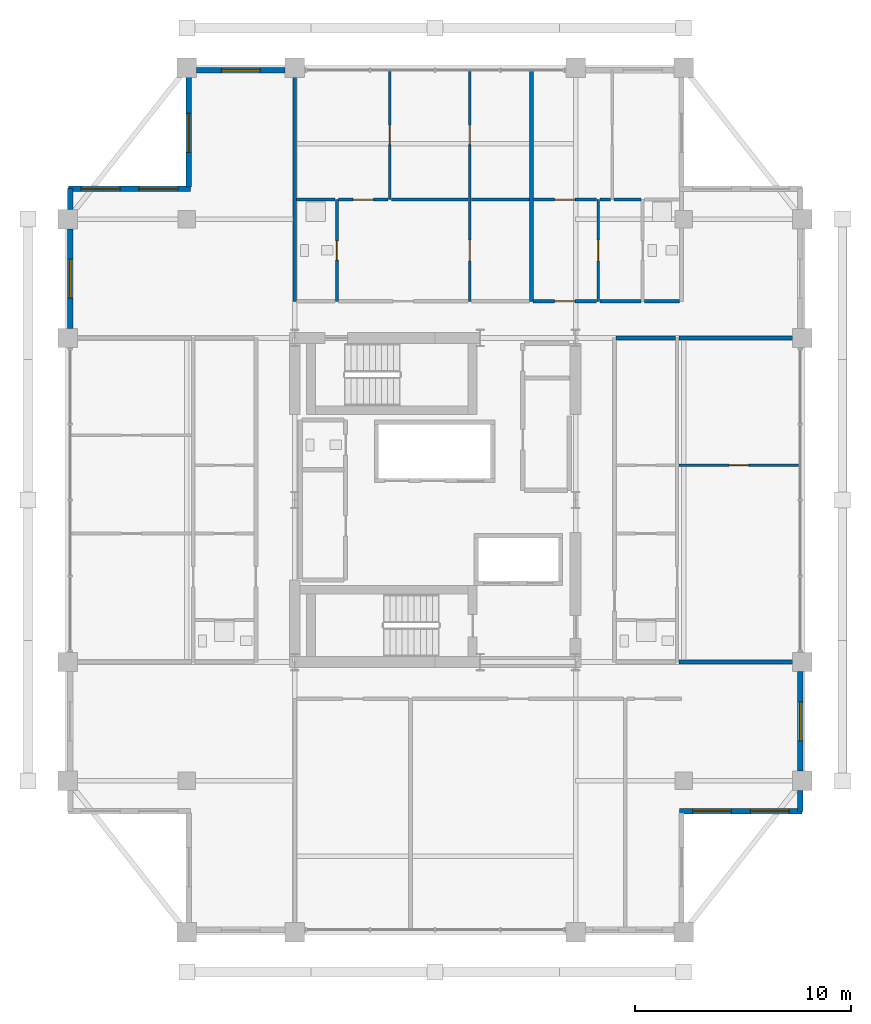
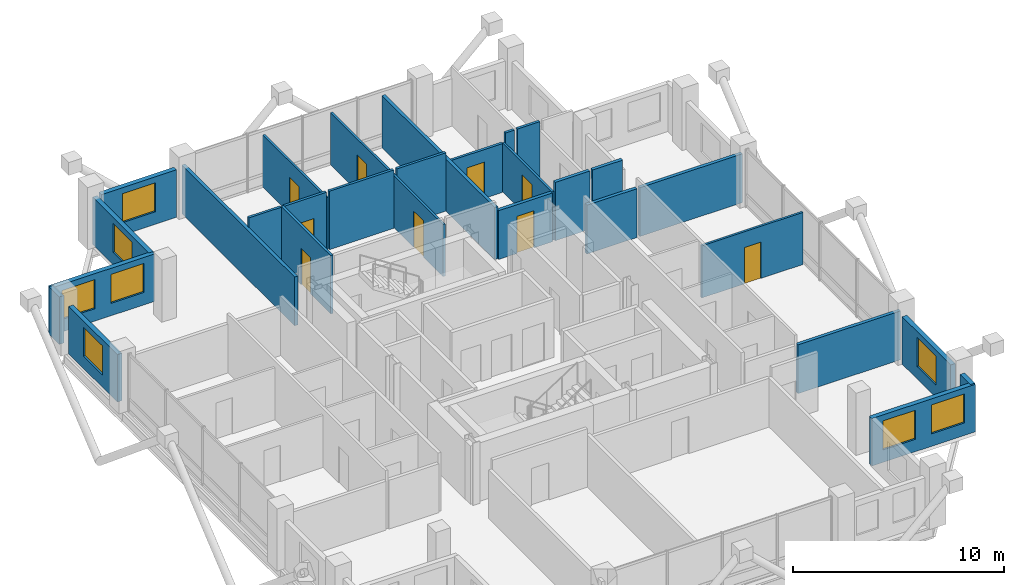
# One storey, part 20 of 23: 28 walls, 9 doors, 8 windows, 17 openings.
"""IFC4 building model written with IfcOpenShell, lengths in metres."""

from ifc_helpers import new_model, si_unit, direction, frame, frame_2d, origin, place, context, subcontext, project, spatial, rectangle, extrude, material, layer, layer_set, type_object, element, fill, save


model = new_model("IFC4")

# Units and contexts
model_context = context("Model", 3, precision=1e-05, world=origin(), true_north=direction((0.0, 1.0)))
body_context = subcontext(model_context, "Body", "Model", "MODEL_VIEW")
ifc_project = project(units=[si_unit("LENGTHUNIT", "METRE"), si_unit("AREAUNIT", "SQUARE_METRE"), si_unit("VOLUMEUNIT", "CUBIC_METRE"), si_unit("PLANEANGLEUNIT", "RADIAN"), si_unit("MASSUNIT", "GRAM", prefix="KILO")], contexts=[model_context])

# Site, building, storey
site_placement = place(None, origin())
site = spatial("IfcSite", under=ifc_project, at=site_placement, CompositionType="ELEMENT")
building_placement = place(site_placement, origin())
building = spatial("IfcBuilding", under=site, at=building_placement, Name="Barlavira Tower and Art Museum", CompositionType="ELEMENT")
storey_placement = place(building_placement, frame((0.0, 0.0, 247.5)))
storey = spatial("IfcBuildingStorey", under=building, at=storey_placement, Name="L64", CompositionType="ELEMENT", Elevation=247.5)

# Wall, opening, door
ifc_material_1 = material(Name="Gypsum acoustic stud partition", Category="gypsum")
ifc_layer_1 = layer(ifc_material_1, 0.1201171875, Name="Gypsum acoustic stud partition")
ifc_layer_set_1 = layer_set([ifc_layer_1], Name="Gypsum acoustic stud partition")
wall_type_1 = type_object("IfcWallType", Name="Apartment Internal Acoustic Partition 120", PredefinedType="PARTITIONING", material=ifc_layer_set_1)
wall_1_placement = place(storey_placement, frame((-2.10009765625, 13.89990234375, 0.0), z_axis=(0.0, 0.0, 1.0), x_axis=(0.0, 1.0, 0.0)))
wall_1 = element("IfcWall", 1, at=wall_1_placement, inside=storey, type_object=wall_type_1, Name="L64 Partition Wall 8", PredefinedType="PARTITIONING", context=body_context, shape_type="SweptSolid", body=[
    extrude(rectangle(XDim=6.0, YDim=0.1201171875, at=frame_2d((3.0, 0.0))), origin(), (0.0, 0.0, 1.0), 3.01806640625),
])
opening_1_placement = place(wall_1_placement, frame((2.550048828125, 0.0, 0.0)))
opening_1 = element("IfcOpeningElement", 2, at=opening_1_placement, cuts=wall_1, Name="Opening D-01", PredefinedType="OPENING", context=body_context, shape_type="SweptSolid", body=[
    extrude(rectangle(XDim=0.89990234375, YDim=2.10009765625, at=frame_2d((0.449951171875, 1.050048828125))), frame((0.0, 0.070068359375, 0.0), z_axis=(0.0, -1.0, 0.0), x_axis=(1.0, 0.0, 0.0)), (0.0, 0.0, 1.0), 0.14013671875),
])
ifc_material_2 = material(Name="Engineered coastal hardwood", Category="wood")
door_type_1 = type_object("IfcDoorType", Name="Internal Bedroom Timber Flush Door 900x2100", OperationType="NOTDEFINED", PredefinedType="DOOR", material=ifc_material_2)
door_1_placement = place(opening_1_placement, origin())
door_1 = element("IfcDoor", 3, at=door_1_placement, inside=storey, type_object=door_type_1, Name="Apartment N1 Bedroom 1 Door", OperationType="SINGLE_SWING_LEFT", OverallHeight=2.10009765625, OverallWidth=0.89990234375, PredefinedType="DOOR", context=body_context, shape_type="SweptSolid", body=[
    extrude(rectangle(XDim=0.89990234375, YDim=2.10009765625, at=frame_2d((0.449951171875, 1.050048828125))), frame((0.0, 0.02490234375, 0.0), z_axis=(0.0, -1.0, 0.0), x_axis=(1.0, 0.0, 0.0)), (0.0, 0.0, 1.0), 0.050048828125),
])
fill(opening_1, door_1)

# Wall, openings, doors
wall_2_placement = place(storey_placement, frame((1.60009765625, 9.199951171875, 0.0), z_axis=(0.0, 0.0, 1.0), x_axis=(0.0, 1.0, 0.0)))
wall_2 = element("IfcWall", 4, at=wall_2_placement, inside=storey, type_object=wall_type_1, Name="L64 Partition Wall 10", PredefinedType="PARTITIONING", context=body_context, shape_type="SweptSolid", body=[
    extrude(rectangle(XDim=10.699951171875, YDim=0.1201171875, at=frame_2d((5.35009765625, 0.0))), origin(), (0.0, 0.0, 1.0), 3.01806640625),
])
opening_2_placement = place(wall_2_placement, frame((1.875, 0.0, 0.0)))
opening_2 = element("IfcOpeningElement", 5, at=opening_2_placement, cuts=wall_2, Name="Opening D-02", PredefinedType="OPENING", context=body_context, shape_type="SweptSolid", body=[
    extrude(rectangle(XDim=0.949951171875, YDim=2.10009765625, at=frame_2d((0.47509765625, 1.050048828125))), frame((0.0, 0.070068359375, 0.0), z_axis=(0.0, -1.0, 0.0), x_axis=(1.0, 0.0, 0.0)), (0.0, 0.0, 1.0), 0.14013671875),
])
opening_3_placement = place(wall_2_placement, frame((7.25, 0.0, 0.0)))
opening_3 = element("IfcOpeningElement", 6, at=opening_3_placement, cuts=wall_2, Name="Opening D-01", PredefinedType="OPENING", context=body_context, shape_type="SweptSolid", body=[
    extrude(rectangle(XDim=0.89990234375, YDim=2.10009765625, at=frame_2d((0.449951171875, 1.050048828125))), frame((0.0, 0.070068359375, 0.0), z_axis=(0.0, -1.0, 0.0), x_axis=(1.0, 0.0, 0.0)), (0.0, 0.0, 1.0), 0.14013671875),
])
door_2_placement = place(opening_3_placement, origin())
door_2 = element("IfcDoor", 7, at=door_2_placement, inside=storey, type_object=door_type_1, Name="Apartment N1 Bedroom 2 Door", OperationType="SINGLE_SWING_RIGHT", OverallHeight=2.10009765625, OverallWidth=0.89990234375, PredefinedType="DOOR", context=body_context, shape_type="SweptSolid", body=[
    extrude(rectangle(XDim=0.89990234375, YDim=2.10009765625, at=frame_2d((0.449951171875, 1.050048828125))), frame((0.0, 0.02490234375, 0.0), z_axis=(0.0, -1.0, 0.0), x_axis=(1.0, 0.0, 0.0)), (0.0, 0.0, 1.0), 0.050048828125),
])
fill(opening_3, door_2)
door_type_2 = type_object("IfcDoorType", Name="Living and Salon Glazed-Leaf Door 950x2100", OperationType="NOTDEFINED", PredefinedType="DOOR", material=ifc_material_2)
door_3_placement = place(opening_2_placement, origin())
door_3 = element("IfcDoor", 8, at=door_3_placement, inside=storey, type_object=door_type_2, Name="Apartment N1 Kitchen Door", OperationType="SINGLE_SWING_LEFT", OverallHeight=2.10009765625, OverallWidth=0.949951171875, PredefinedType="DOOR", context=body_context, shape_type="SweptSolid", body=[
    extrude(rectangle(XDim=0.949951171875, YDim=2.10009765625, at=frame_2d((0.47509765625, 1.050048828125))), frame((0.0, 0.02490234375, 0.0), z_axis=(0.0, -1.0, 0.0), x_axis=(1.0, 0.0, 0.0)), (0.0, 0.0, 1.0), 0.050048828125),
])
fill(opening_2, door_3)

# Wall, opening, door
wall_3_placement = place(storey_placement, frame((7.550048828125, 9.199951171875, 0.0), z_axis=(0.0, 0.0, 1.0), x_axis=(0.0, 1.0, 0.0)))
wall_3 = element("IfcWall", 9, at=wall_3_placement, inside=storey, type_object=wall_type_1, Name="L64 Partition Wall 14", PredefinedType="PARTITIONING", context=body_context, shape_type="SweptSolid", body=[
    extrude(rectangle(XDim=4.699951171875, YDim=0.1201171875, at=frame_2d((2.35009765625, 0.0))), origin(), (0.0, 0.0, 1.0), 2.825927734375),
])
opening_4_placement = place(wall_3_placement, frame((1.875, 0.0, 0.0)))
opening_4 = element("IfcOpeningElement", 10, at=opening_4_placement, cuts=wall_3, Name="Opening D-02", PredefinedType="OPENING", context=body_context, shape_type="SweptSolid", body=[
    extrude(rectangle(XDim=0.949951171875, YDim=2.10009765625, at=frame_2d((0.47509765625, 1.050048828125))), frame((0.0, 0.070068359375, 0.0), z_axis=(0.0, -1.0, 0.0), x_axis=(1.0, 0.0, 0.0)), (0.0, 0.0, 1.0), 0.14013671875),
])
door_4_placement = place(opening_4_placement, origin())
door_4 = element("IfcDoor", 11, at=door_4_placement, inside=storey, type_object=door_type_2, Name="Apartment N2 Kitchen Door", OperationType="SINGLE_SWING_RIGHT", OverallHeight=2.10009765625, OverallWidth=0.949951171875, PredefinedType="DOOR", context=body_context, shape_type="SweptSolid", body=[
    extrude(rectangle(XDim=0.949951171875, YDim=2.10009765625, at=frame_2d((0.47509765625, 1.050048828125))), frame((0.0, 0.02490234375, 0.0), z_axis=(0.0, -1.0, 0.0), x_axis=(1.0, 0.0, 0.0)), (0.0, 0.0, 1.0), 0.050048828125),
])
fill(opening_4, door_4)

wall_4_placement = place(storey_placement, frame((11.280029296875, 1.60009765625, 0.0), z_axis=(0.0, 0.0, 1.0), x_axis=(1.0, 0.0, 0.0)))
wall_4 = element("IfcWall", 12, at=wall_4_placement, inside=storey, type_object=wall_type_1, Name="L64 Partition Wall 38", PredefinedType="PARTITIONING", context=body_context, shape_type="SweptSolid", body=[
    extrude(rectangle(XDim=5.5400390625, YDim=0.1201171875, at=frame_2d((2.77001953125, 0.0))), origin(), (0.0, 0.0, 1.0), 3.01806640625),
])
opening_5_placement = place(wall_4_placement, frame((2.330078125, 0.0, 0.0)))
opening_5 = element("IfcOpeningElement", 13, at=opening_5_placement, cuts=wall_4, Name="Opening D-01", PredefinedType="OPENING", context=body_context, shape_type="SweptSolid", body=[
    extrude(rectangle(XDim=0.89990234375, YDim=2.10009765625, at=frame_2d((0.449951171875, 1.050048828125))), frame((0.0, 0.070068359375, 0.0), z_axis=(0.0, -1.0, 0.0), x_axis=(1.0, 0.0, 0.0)), (0.0, 0.0, 1.0), 0.14013671875),
])
door_5_placement = place(opening_5_placement, origin())
door_5 = element("IfcDoor", 14, at=door_5_placement, inside=storey, type_object=door_type_1, Name="Apartment E1 Bedroom 1 Door", OperationType="SINGLE_SWING_RIGHT", OverallHeight=2.10009765625, OverallWidth=0.89990234375, PredefinedType="DOOR", context=body_context, shape_type="SweptSolid", body=[
    extrude(rectangle(XDim=0.89990234375, YDim=2.10009765625, at=frame_2d((0.449951171875, 1.050048828125))), frame((0.0, 0.02490234375, 0.0), z_axis=(0.0, -1.0, 0.0), x_axis=(1.0, 0.0, 0.0)), (0.0, 0.0, 1.0), 0.050048828125),
])
fill(opening_5, door_5)

# Walls
ifc_layer_2 = layer(ifc_material_1, 0.179931640625, Name="Gypsum acoustic stud partition")
ifc_layer_set_2 = layer_set([ifc_layer_2], Name="Gypsum acoustic stud partition")
wall_type_2 = type_object("IfcWallType", Name="Inter-Tenancy Party Partition Wall 180", PredefinedType="PARTITIONING", material=ifc_layer_set_2)
wall_5_placement = place(storey_placement, frame((-6.5, 9.199951171875, 0.0), z_axis=(0.0, 0.0, 1.0), x_axis=(0.0, 1.0, 0.0)))
element("IfcWall", 15, at=wall_5_placement, inside=storey, type_object=wall_type_2, Name="L64 Partition Wall 4", PredefinedType="PARTITIONING", context=body_context, shape_type="SweptSolid", body=[
    extrude(rectangle(XDim=10.699951171875, YDim=0.179931640625, at=frame_2d((5.35009765625, 0.0))), origin(), (0.0, 0.0, 1.0), 2.825927734375),
])
wall_6_placement = place(storey_placement, frame((4.449951171875, 9.199951171875, 0.0), z_axis=(0.0, 0.0, 1.0), x_axis=(0.0, 1.0, 0.0)))
element("IfcWall", 16, at=wall_6_placement, inside=storey, type_object=wall_type_2, Name="L64 Partition Wall 12", PredefinedType="PARTITIONING", context=body_context, shape_type="SweptSolid", body=[
    extrude(rectangle(XDim=10.699951171875, YDim=0.179931640625, at=frame_2d((5.35009765625, 0.0))), origin(), (0.0, 0.0, 1.0), 3.01806640625),
])
wall_7_placement = place(storey_placement, frame((11.280029296875, -7.5, 0.0), z_axis=(0.0, 0.0, 1.0), x_axis=(1.0, 0.0, 0.0)))
element("IfcWall", 17, at=wall_7_placement, inside=storey, type_object=wall_type_2, Name="L64 Partition Wall 27", PredefinedType="PARTITIONING", context=body_context, shape_type="SweptSolid", body=[
    extrude(rectangle(XDim=5.619873046875, YDim=0.179931640625, at=frame_2d((2.81005859375, 0.0))), origin(), (0.0, 0.0, 1.0), 2.825927734375),
])
wall_8_placement = place(storey_placement, frame((8.3798828125, 7.5, 0.0), z_axis=(0.0, 0.0, 1.0), x_axis=(1.0, 0.0, 0.0)))
element("IfcWall", 18, at=wall_8_placement, inside=storey, type_object=wall_type_2, Name="L64 Partition Wall 45", PredefinedType="PARTITIONING", context=body_context, shape_type="SweptSolid", body=[
    extrude(rectangle(XDim=2.740234375, YDim=0.179931640625, at=frame_2d((1.3701171875, 0.0))), origin(), (0.0, 0.0, 1.0), 2.825927734375),
])
wall_9_placement = place(storey_placement, frame((11.280029296875, 7.5, 0.0), z_axis=(0.0, 0.0, 1.0), x_axis=(1.0, 0.0, 0.0)))
element("IfcWall", 19, at=wall_9_placement, inside=storey, type_object=wall_type_2, Name="L64 Partition Wall 46", PredefinedType="PARTITIONING", context=body_context, shape_type="SweptSolid", body=[
    extrude(rectangle(XDim=5.619873046875, YDim=0.179931640625, at=frame_2d((2.81005859375, 0.0))), origin(), (0.0, 0.0, 1.0), 2.825927734375),
])

# Wall, opening, door
wall_10_placement = place(storey_placement, frame((4.530029296875, 9.199951171875, 0.0), z_axis=(0.0, 0.0, 1.0), x_axis=(1.0, 0.0, 0.0)))
wall_10 = element("IfcWall", 20, at=wall_10_placement, inside=storey, type_object=wall_type_2, Name="L64 Partition Wall 50", PredefinedType="PARTITIONING", context=body_context, shape_type="SweptSolid", body=[
    extrude(rectangle(XDim=2.93994140625, YDim=0.179931640625, at=frame_2d((1.469970703125, 0.0))), origin(), (0.0, 0.0, 1.0), 2.825927734375),
])
opening_6_placement = place(wall_10_placement, frame((0.9951171875, 0.0, 0.0)))
opening_6 = element("IfcOpeningElement", 21, at=opening_6_placement, cuts=wall_10, Name="Opening FD-60", PredefinedType="OPENING", context=body_context, shape_type="SweptSolid", body=[
    extrude(rectangle(XDim=0.949951171875, YDim=2.14990234375, at=frame_2d((0.47509765625, 1.074951171875))), frame((0.0, 0.10009765625, 0.0), z_axis=(0.0, -1.0, 0.0), x_axis=(1.0, 0.0, 0.0)), (0.0, 0.0, 1.0), 0.199951171875),
])
ifc_material_3 = material(Name="Brushed stainless steel", Category="steel")
door_type_3 = type_object("IfcDoorType", Name="Apartment Entrance and Riser Fire Door 950x2150 FD60S", OperationType="NOTDEFINED", PredefinedType="DOOR", material=ifc_material_3)
door_6_placement = place(opening_6_placement, origin())
door_6 = element("IfcDoor", 22, at=door_6_placement, inside=storey, type_object=door_type_3, Name="Apartment Entrance Hall N2 Door", OperationType="SINGLE_SWING_LEFT", OverallHeight=2.14990234375, OverallWidth=0.949951171875, PredefinedType="DOOR", context=body_context, shape_type="SweptSolid", body=[
    extrude(rectangle(XDim=0.949951171875, YDim=2.14990234375, at=frame_2d((0.47509765625, 1.074951171875))), frame((0.0, 0.02490234375, 0.0), z_axis=(0.0, -1.0, 0.0), x_axis=(1.0, 0.0, 0.0)), (0.0, 0.0, 1.0), 0.050048828125),
])
fill(opening_6, door_6)

# Walls
wall_11_placement = place(storey_placement, frame((7.6298828125, 9.199951171875, 0.0), z_axis=(0.0, 0.0, 1.0), x_axis=(1.0, 0.0, 0.0)))
element("IfcWall", 23, at=wall_11_placement, inside=storey, type_object=wall_type_2, Name="L64 Partition Wall 51", PredefinedType="PARTITIONING", context=body_context, shape_type="SweptSolid", body=[
    extrude(rectangle(XDim=1.89013671875, YDim=0.179931640625, at=frame_2d((0.945068359375, 0.0))), origin(), (0.0, 0.0, 1.0), 3.3798828125),
])
wall_12_placement = place(storey_placement, frame((9.679931640625, 9.199951171875, 0.0), z_axis=(0.0, 0.0, 1.0), x_axis=(1.0, 0.0, 0.0)))
element("IfcWall", 24, at=wall_12_placement, inside=storey, type_object=wall_type_2, Name="L64 Partition Wall 52", PredefinedType="PARTITIONING", context=body_context, shape_type="SweptSolid", body=[
    extrude(rectangle(XDim=1.64013671875, YDim=0.179931640625, at=frame_2d((0.820068359375, 0.0))), origin(), (0.0, 0.0, 1.0), 3.3798828125),
])

# Wall, opening, door
ifc_layer_3 = layer(ifc_material_1, 0.139892578125, Name="Gypsum acoustic stud partition")
ifc_layer_set_3 = layer_set([ifc_layer_3], Name="Gypsum acoustic stud partition")
wall_type_3 = type_object("IfcWallType", Name="Moisture-Resistant Bathroom Partition 140", PredefinedType="PARTITIONING", material=ifc_layer_set_3)
wall_13_placement = place(storey_placement, frame((-4.550048828125, 9.199951171875, 0.0), z_axis=(0.0, 0.0, 1.0), x_axis=(0.0, 1.0, 0.0)))
wall_13 = element("IfcWall", 25, at=wall_13_placement, inside=storey, type_object=wall_type_3, Name="L64 Partition Wall 6", PredefinedType="PARTITIONING", context=body_context, shape_type="SweptSolid", body=[
    extrude(rectangle(XDim=4.699951171875, YDim=0.139892578125, at=frame_2d((2.35009765625, 0.0))), origin(), (0.0, 0.0, 1.0), 3.3798828125),
])
opening_7_placement = place(wall_13_placement, frame((1.89990234375, 0.0, 0.0)))
opening_7 = element("IfcOpeningElement", 26, at=opening_7_placement, cuts=wall_13, Name="Opening D-WC", PredefinedType="OPENING", context=body_context, shape_type="SweptSolid", body=[
    extrude(rectangle(XDim=0.89990234375, YDim=2.10009765625, at=frame_2d((0.449951171875, 1.050048828125))), frame((0.0, 0.080078125, 0.0), z_axis=(0.0, -1.0, 0.0), x_axis=(1.0, 0.0, 0.0)), (0.0, 0.0, 1.0), 0.159912109375),
])
door_type_4 = type_object("IfcDoorType", Name="Accessible Bathroom Flush Door 900x2100", OperationType="NOTDEFINED", PredefinedType="DOOR", material=ifc_material_2)
door_7_placement = place(opening_7_placement, origin())
door_7 = element("IfcDoor", 27, at=door_7_placement, inside=storey, type_object=door_type_4, Name="Apartment N1 Hall Bathroom Door", OperationType="SINGLE_SWING_LEFT", OverallHeight=2.10009765625, OverallWidth=0.89990234375, PredefinedType="DOOR", context=body_context, shape_type="SweptSolid", body=[
    extrude(rectangle(XDim=0.89990234375, YDim=2.10009765625, at=frame_2d((0.449951171875, 1.050048828125))), frame((0.0, 0.02490234375, 0.0), z_axis=(0.0, -1.0, 0.0), x_axis=(1.0, 0.0, 0.0)), (0.0, 0.0, 1.0), 0.050048828125),
])
fill(opening_7, door_7)

# Wall
wall_14_placement = place(storey_placement, frame((-6.419921875, 13.89990234375, 0.0), z_axis=(0.0, 0.0, 1.0), x_axis=(1.0, 0.0, 0.0)))
element("IfcWall", 28, at=wall_14_placement, inside=storey, type_object=wall_type_3, Name="L64 Partition Wall 53", PredefinedType="PARTITIONING", context=body_context, shape_type="SweptSolid", body=[
    extrude(rectangle(XDim=1.7900390625, YDim=0.139892578125, at=frame_2d((0.89501953125, 0.0))), origin(), (0.0, 0.0, 1.0), 3.3798828125),
])

# Wall, opening, door
wall_15_placement = place(storey_placement, frame((-4.469970703125, 13.89990234375, 0.0), z_axis=(0.0, 0.0, 1.0), x_axis=(1.0, 0.0, 0.0)))
wall_15 = element("IfcWall", 29, at=wall_15_placement, inside=storey, type_object=wall_type_3, Name="L64 Partition Wall 54", PredefinedType="PARTITIONING", context=body_context, shape_type="SweptSolid", body=[
    extrude(rectangle(XDim=2.2900390625, YDim=0.139892578125, at=frame_2d((1.14501953125, 0.0))), origin(), (0.0, 0.0, 1.0), 3.3798828125),
])
opening_8_placement = place(wall_15_placement, frame((0.6650390625, 0.0, 0.0)))
opening_8 = element("IfcOpeningElement", 30, at=opening_8_placement, cuts=wall_15, Name="Opening D-02", PredefinedType="OPENING", context=body_context, shape_type="SweptSolid", body=[
    extrude(rectangle(XDim=0.949951171875, YDim=2.10009765625, at=frame_2d((0.47509765625, 1.050048828125))), frame((0.0, 0.080078125, 0.0), z_axis=(0.0, -1.0, 0.0), x_axis=(1.0, 0.0, 0.0)), (0.0, 0.0, 1.0), 0.159912109375),
])
door_8_placement = place(opening_8_placement, origin())
door_8 = element("IfcDoor", 31, at=door_8_placement, inside=storey, type_object=door_type_2, Name="Apartment N1 Living Lounge Door", OperationType="SINGLE_SWING_RIGHT", OverallHeight=2.10009765625, OverallWidth=0.949951171875, PredefinedType="DOOR", context=body_context, shape_type="SweptSolid", body=[
    extrude(rectangle(XDim=0.949951171875, YDim=2.10009765625, at=frame_2d((0.47509765625, 1.050048828125))), frame((0.0, 0.02490234375, 0.0), z_axis=(0.0, -1.0, 0.0), x_axis=(1.0, 0.0, 0.0)), (0.0, 0.0, 1.0), 0.050048828125),
])
fill(opening_8, door_8)

# Walls
wall_16_placement = place(storey_placement, frame((-2.02001953125, 13.89990234375, 0.0), z_axis=(0.0, 0.0, 1.0), x_axis=(1.0, 0.0, 0.0)))
element("IfcWall", 32, at=wall_16_placement, inside=storey, type_object=wall_type_3, Name="L64 Partition Wall 55", PredefinedType="PARTITIONING", context=body_context, shape_type="SweptSolid", body=[
    extrude(rectangle(XDim=3.5400390625, YDim=0.139892578125, at=frame_2d((1.77001953125, 0.0))), origin(), (0.0, 0.0, 1.0), 3.3798828125),
])
wall_17_placement = place(storey_placement, frame((1.679931640625, 13.89990234375, 0.0), z_axis=(0.0, 0.0, 1.0), x_axis=(1.0, 0.0, 0.0)))
element("IfcWall", 33, at=wall_17_placement, inside=storey, type_object=wall_type_3, Name="L64 Partition Wall 56", PredefinedType="PARTITIONING", context=body_context, shape_type="SweptSolid", body=[
    extrude(rectangle(XDim=2.690185546875, YDim=0.139892578125, at=frame_2d((1.34521484375, 0.0))), origin(), (0.0, 0.0, 1.0), 3.3798828125),
])

# Wall, opening, door
wall_18_placement = place(storey_placement, frame((4.530029296875, 13.89990234375, 0.0), z_axis=(0.0, 0.0, 1.0), x_axis=(1.0, 0.0, 0.0)))
wall_18 = element("IfcWall", 34, at=wall_18_placement, inside=storey, type_object=wall_type_3, Name="L64 Partition Wall 57", PredefinedType="PARTITIONING", context=body_context, shape_type="SweptSolid", body=[
    extrude(rectangle(XDim=2.93994140625, YDim=0.139892578125, at=frame_2d((1.469970703125, 0.0))), origin(), (0.0, 0.0, 1.0), 2.825927734375),
])
opening_9_placement = place(wall_18_placement, frame((0.9951171875, 0.0, 0.0)))
opening_9 = element("IfcOpeningElement", 35, at=opening_9_placement, cuts=wall_18, Name="Opening D-02", PredefinedType="OPENING", context=body_context, shape_type="SweptSolid", body=[
    extrude(rectangle(XDim=0.949951171875, YDim=2.10009765625, at=frame_2d((0.47509765625, 1.050048828125))), frame((0.0, 0.080078125, 0.0), z_axis=(0.0, -1.0, 0.0), x_axis=(1.0, 0.0, 0.0)), (0.0, 0.0, 1.0), 0.159912109375),
])
door_9_placement = place(opening_9_placement, origin())
door_9 = element("IfcDoor", 36, at=door_9_placement, inside=storey, type_object=door_type_2, Name="Apartment N2 Living Lounge Door", OperationType="SINGLE_SWING_RIGHT", OverallHeight=2.10009765625, OverallWidth=0.949951171875, PredefinedType="DOOR", context=body_context, shape_type="SweptSolid", body=[
    extrude(rectangle(XDim=0.949951171875, YDim=2.10009765625, at=frame_2d((0.47509765625, 1.050048828125))), frame((0.0, 0.02490234375, 0.0), z_axis=(0.0, -1.0, 0.0), x_axis=(1.0, 0.0, 0.0)), (0.0, 0.0, 1.0), 0.050048828125),
])
fill(opening_9, door_9)

# Walls
wall_19_placement = place(storey_placement, frame((7.6298828125, 13.89990234375, 0.0), z_axis=(0.0, 0.0, 1.0), x_axis=(1.0, 0.0, 0.0)))
element("IfcWall", 37, at=wall_19_placement, inside=storey, type_object=wall_type_3, Name="L64 Partition Wall 58", PredefinedType="PARTITIONING", context=body_context, shape_type="SweptSolid", body=[
    extrude(rectangle(XDim=0.490234375, YDim=0.139892578125, at=frame_2d((0.2451171875, 0.0))), origin(), (0.0, 0.0, 1.0), 3.3798828125),
])
wall_20_placement = place(storey_placement, frame((8.280029296875, 13.89990234375, 0.0), z_axis=(0.0, 0.0, 1.0), x_axis=(1.0, 0.0, 0.0)))
element("IfcWall", 38, at=wall_20_placement, inside=storey, type_object=wall_type_3, Name="L64 Partition Wall 59", PredefinedType="PARTITIONING", context=body_context, shape_type="SweptSolid", body=[
    extrude(rectangle(XDim=1.239990234375, YDim=0.139892578125, at=frame_2d((0.6201171875, 0.0))), origin(), (0.0, 0.0, 1.0), 3.3798828125),
])

# Wall, opening, window
ifc_material_4 = material(Name="Precast concrete C40", Category="concrete")
ifc_layer_4 = layer(ifc_material_4, 0.25, Name="Precast concrete C40")
ifc_layer_set_4 = layer_set([ifc_layer_4], Name="Precast concrete C40")
wall_type_4 = type_object("IfcWallType", Name="Notched Corner Spandrel Wall 250 Precast Concrete C40", PredefinedType="SOLIDWALL", material=ifc_layer_set_4)
wall_21_placement = place(storey_placement, frame((-6.945068359375, 19.89990234375, 0.0), z_axis=(0.0, 0.0, 1.0), x_axis=(-1.0, 0.0, 0.0)))
wall_21 = element("IfcWall", 39, at=wall_21_placement, inside=storey, type_object=wall_type_4, Name="L64 Coastal Facade Pier Wall CW4-L64-N-3", PredefinedType="SOLIDWALL", context=body_context, shape_type="SweptSolid", body=[
    extrude(rectangle(XDim=4.10986328125, YDim=0.25, at=frame_2d((2.054931640625, 0.0))), origin(), (0.0, 0.0, 1.0), 2.748046875),
])
opening_10_placement = place(wall_21_placement, frame((1.155029296875, 0.0, 0.719970703125)))
opening_10 = element("IfcOpeningElement", 40, at=opening_10_placement, cuts=wall_21, Name="Opening WN-01", PredefinedType="OPENING", context=body_context, shape_type="SweptSolid", body=[
    extrude(rectangle(XDim=1.800048828125, YDim=1.679931640625, at=frame_2d((0.89990234375, 0.83984375))), frame((0.0, 0.135009765625, 0.0), z_axis=(0.0, -1.0, 0.0), x_axis=(1.0, 0.0, 0.0)), (0.0, 0.0, 1.0), 0.27001953125),
])
ifc_material_5 = material(Name="Low-iron coastal laminated glass", Category="glass")
window_type = type_object("IfcWindowType", Name="Recessed Notch Corner Punch Window 1800x1680", PartitioningType="SINGLE_PANEL", PredefinedType="WINDOW", material=ifc_material_5)
window_1_placement = place(opening_10_placement, origin())
window_1 = element("IfcWindow", 41, at=window_1_placement, inside=storey, type_object=window_type, Name="L64 Punched Facade Window EWP-CW4-L64-N-3-1", OverallHeight=1.679931640625, OverallWidth=1.800048828125, PartitioningType="SINGLE_PANEL", PredefinedType="WINDOW", context=body_context, shape_type="SweptSolid", body=[
    extrude(rectangle(XDim=1.800048828125, YDim=1.679931640625, at=frame_2d((0.89990234375, 0.83984375))), frame((0.0, 0.030029296875, 0.0), z_axis=(0.0, -1.0, 0.0), x_axis=(1.0, 0.0, 0.0)), (0.0, 0.0, 1.0), 0.06005859375),
])
fill(opening_10, window_1)

# Wall
wall_22_placement = place(storey_placement, frame((-16.89990234375, 14.425048828125, 0.0), z_axis=(0.0, 0.0, 1.0), x_axis=(0.0, -1.0, 0.0)))
element("IfcWall", 42, at=wall_22_placement, inside=storey, type_object=wall_type_4, Name="L64 Coastal Facade Pier Wall CW4-L64-W-1", PredefinedType="SOLIDWALL", context=body_context, shape_type="SweptSolid", body=[
    extrude(rectangle(XDim=0.97998046875, YDim=0.25, at=frame_2d((0.489990234375, 0.0))), origin(), (0.0, 0.0, 1.0), 2.748046875),
])

# Wall, opening, window
wall_23_placement = place(storey_placement, frame((-16.89990234375, 12.554931640625, 0.0), z_axis=(0.0, 0.0, 1.0), x_axis=(0.0, -1.0, 0.0)))
wall_23 = element("IfcWall", 43, at=wall_23_placement, inside=storey, type_object=wall_type_4, Name="L64 Coastal Facade Pier Wall CW4-L64-W-2", PredefinedType="SOLIDWALL", context=body_context, shape_type="SweptSolid", body=[
    extrude(rectangle(XDim=4.60986328125, YDim=0.25, at=frame_2d((2.304931640625, 0.0))), origin(), (0.0, 0.0, 1.0), 2.748046875),
])
opening_11_placement = place(wall_23_placement, frame((1.405029296875, 0.0, 0.719970703125)))
opening_11 = element("IfcOpeningElement", 44, at=opening_11_placement, cuts=wall_23, Name="Opening WN-01", PredefinedType="OPENING", context=body_context, shape_type="SweptSolid", body=[
    extrude(rectangle(XDim=1.800048828125, YDim=1.679931640625, at=frame_2d((0.89990234375, 0.83984375))), frame((0.0, 0.135009765625, 0.0), z_axis=(0.0, -1.0, 0.0), x_axis=(1.0, 0.0, 0.0)), (0.0, 0.0, 1.0), 0.27001953125),
])
window_2_placement = place(opening_11_placement, origin())
window_2 = element("IfcWindow", 45, at=window_2_placement, inside=storey, type_object=window_type, Name="L64 Punched Facade Window EWP-CW4-L64-W-2-1", OverallHeight=1.679931640625, OverallWidth=1.800048828125, PartitioningType="SINGLE_PANEL", PredefinedType="WINDOW", context=body_context, shape_type="SweptSolid", body=[
    extrude(rectangle(XDim=1.800048828125, YDim=1.679931640625, at=frame_2d((0.89990234375, 0.83984375))), frame((0.0, 0.030029296875, 0.0), z_axis=(0.0, -1.0, 0.0), x_axis=(1.0, 0.0, 0.0)), (0.0, 0.0, 1.0), 0.06005859375),
])
fill(opening_11, window_2)

# Wall
wall_24_placement = place(storey_placement, frame((16.89990234375, -14.425048828125, 0.0), z_axis=(0.0, 0.0, 1.0), x_axis=(0.0, 1.0, 0.0)))
element("IfcWall", 46, at=wall_24_placement, inside=storey, type_object=wall_type_4, Name="L64 Coastal Facade Pier Wall CW4-L64-E-1", PredefinedType="SOLIDWALL", context=body_context, shape_type="SweptSolid", body=[
    extrude(rectangle(XDim=0.97998046875, YDim=0.25, at=frame_2d((0.489990234375, 0.0))), origin(), (0.0, 0.0, 1.0), 2.748046875),
])

# Wall, opening, window
wall_25_placement = place(storey_placement, frame((16.89990234375, -12.554931640625, 0.0), z_axis=(0.0, 0.0, 1.0), x_axis=(0.0, 1.0, 0.0)))
wall_25 = element("IfcWall", 47, at=wall_25_placement, inside=storey, type_object=wall_type_4, Name="L64 Coastal Facade Pier Wall CW4-L64-E-2", PredefinedType="SOLIDWALL", context=body_context, shape_type="SweptSolid", body=[
    extrude(rectangle(XDim=4.60986328125, YDim=0.25, at=frame_2d((2.304931640625, 0.0))), origin(), (0.0, 0.0, 1.0), 2.748046875),
])
opening_12_placement = place(wall_25_placement, frame((1.405029296875, 0.0, 0.719970703125)))
opening_12 = element("IfcOpeningElement", 48, at=opening_12_placement, cuts=wall_25, Name="Opening WN-01", PredefinedType="OPENING", context=body_context, shape_type="SweptSolid", body=[
    extrude(rectangle(XDim=1.800048828125, YDim=1.679931640625, at=frame_2d((0.89990234375, 0.83984375))), frame((0.0, 0.135009765625, 0.0), z_axis=(0.0, -1.0, 0.0), x_axis=(1.0, 0.0, 0.0)), (0.0, 0.0, 1.0), 0.27001953125),
])
window_3_placement = place(opening_12_placement, origin())
window_3 = element("IfcWindow", 49, at=window_3_placement, inside=storey, type_object=window_type, Name="L64 Punched Facade Window EWP-CW4-L64-E-2-1", OverallHeight=1.679931640625, OverallWidth=1.800048828125, PartitioningType="SINGLE_PANEL", PredefinedType="WINDOW", context=body_context, shape_type="SweptSolid", body=[
    extrude(rectangle(XDim=1.800048828125, YDim=1.679931640625, at=frame_2d((0.89990234375, 0.83984375))), frame((0.0, 0.030029296875, 0.0), z_axis=(0.0, -1.0, 0.0), x_axis=(1.0, 0.0, 0.0)), (0.0, 0.0, 1.0), 0.06005859375),
])
fill(opening_12, window_3)

# Wall, openings, windows
wall_26_placement = place(storey_placement, frame((11.320068359375, -14.39990234375, 0.0), z_axis=(0.0, 0.0, 1.0), x_axis=(1.0, 0.0, 0.0)))
wall_26 = element("IfcWall", 50, at=wall_26_placement, inside=storey, type_object=wall_type_4, Name="L64 Notch Corner Wall SE2", PredefinedType="SOLIDWALL", context=body_context, shape_type="SweptSolid", body=[
    extrude(rectangle(XDim=5.659912109375, YDim=0.25, at=frame_2d((2.830078125, 0.0))), origin(), (0.0, 0.0, 1.0), 2.748046875),
])
opening_13_placement = place(wall_26_placement, frame((0.594970703125, 0.0, 0.719970703125)))
opening_13 = element("IfcOpeningElement", 51, at=opening_13_placement, cuts=wall_26, Name="Opening WN-01", PredefinedType="OPENING", context=body_context, shape_type="SweptSolid", body=[
    extrude(rectangle(XDim=1.800048828125, YDim=1.679931640625, at=frame_2d((0.89990234375, 0.83984375))), frame((0.0, 0.135009765625, 0.0), z_axis=(0.0, -1.0, 0.0), x_axis=(1.0, 0.0, 0.0)), (0.0, 0.0, 1.0), 0.27001953125),
])
opening_14_placement = place(wall_26_placement, frame((3.264892578125, 0.0, 0.719970703125)))
opening_14 = element("IfcOpeningElement", 52, at=opening_14_placement, cuts=wall_26, Name="Opening WN-01", PredefinedType="OPENING", context=body_context, shape_type="SweptSolid", body=[
    extrude(rectangle(XDim=1.800048828125, YDim=1.679931640625, at=frame_2d((0.89990234375, 0.83984375))), frame((0.0, 0.135009765625, 0.0), z_axis=(0.0, -1.0, 0.0), x_axis=(1.0, 0.0, 0.0)), (0.0, 0.0, 1.0), 0.27001953125),
])
window_4_placement = place(opening_13_placement, origin())
window_4 = element("IfcWindow", 53, at=window_4_placement, inside=storey, type_object=window_type, Name="L64 Punched Facade Window EW-NTC-L64-SE2-1", OverallHeight=1.679931640625, OverallWidth=1.800048828125, PartitioningType="SINGLE_PANEL", PredefinedType="WINDOW", context=body_context, shape_type="SweptSolid", body=[
    extrude(rectangle(XDim=1.800048828125, YDim=1.679931640625, at=frame_2d((0.89990234375, 0.83984375))), frame((0.0, 0.030029296875, 0.0), z_axis=(0.0, -1.0, 0.0), x_axis=(1.0, 0.0, 0.0)), (0.0, 0.0, 1.0), 0.06005859375),
])
fill(opening_13, window_4)
window_5_placement = place(opening_14_placement, origin())
window_5 = element("IfcWindow", 54, at=window_5_placement, inside=storey, type_object=window_type, Name="L64 Punched Facade Window EW-NTC-L64-SE2-2", OverallHeight=1.679931640625, OverallWidth=1.800048828125, PartitioningType="SINGLE_PANEL", PredefinedType="WINDOW", context=body_context, shape_type="SweptSolid", body=[
    extrude(rectangle(XDim=1.800048828125, YDim=1.679931640625, at=frame_2d((0.89990234375, 0.83984375))), frame((0.0, 0.030029296875, 0.0), z_axis=(0.0, -1.0, 0.0), x_axis=(1.0, 0.0, 0.0)), (0.0, 0.0, 1.0), 0.06005859375),
])
fill(opening_14, window_5)

# Wall, opening, window
wall_27_placement = place(storey_placement, frame((-11.39990234375, 19.820068359375, 0.0), z_axis=(0.0, 0.0, 1.0), x_axis=(0.0, -1.0, 0.0)))
wall_27 = element("IfcWall", 55, at=wall_27_placement, inside=storey, type_object=wall_type_4, Name="L64 Notch Corner Wall NW1", PredefinedType="SOLIDWALL", context=body_context, shape_type="SweptSolid", body=[
    extrude(rectangle(XDim=5.340087890625, YDim=0.25, at=frame_2d((2.669921875, 0.0))), origin(), (0.0, 0.0, 1.0), 2.748046875),
])
opening_15_placement = place(wall_27_placement, frame((1.925048828125, 0.0, 0.719970703125)))
opening_15 = element("IfcOpeningElement", 56, at=opening_15_placement, cuts=wall_27, Name="Opening WN-01", PredefinedType="OPENING", context=body_context, shape_type="SweptSolid", body=[
    extrude(rectangle(XDim=1.800048828125, YDim=1.679931640625, at=frame_2d((0.89990234375, 0.83984375))), frame((0.0, 0.135009765625, 0.0), z_axis=(0.0, -1.0, 0.0), x_axis=(1.0, 0.0, 0.0)), (0.0, 0.0, 1.0), 0.27001953125),
])
window_6_placement = place(opening_15_placement, origin())
window_6 = element("IfcWindow", 57, at=window_6_placement, inside=storey, type_object=window_type, Name="L64 Punched Facade Window EW-NTC-L64-NW1-1", OverallHeight=1.679931640625, OverallWidth=1.800048828125, PartitioningType="SINGLE_PANEL", PredefinedType="WINDOW", context=body_context, shape_type="SweptSolid", body=[
    extrude(rectangle(XDim=1.800048828125, YDim=1.679931640625, at=frame_2d((0.89990234375, 0.83984375))), frame((0.0, 0.030029296875, 0.0), z_axis=(0.0, -1.0, 0.0), x_axis=(1.0, 0.0, 0.0)), (0.0, 0.0, 1.0), 0.06005859375),
])
fill(opening_15, window_6)

# Wall, openings, windows
wall_28_placement = place(storey_placement, frame((-11.320068359375, 14.39990234375, 0.0), z_axis=(0.0, 0.0, 1.0), x_axis=(-1.0, 0.0, 0.0)))
wall_28 = element("IfcWall", 58, at=wall_28_placement, inside=storey, type_object=wall_type_4, Name="L64 Notch Corner Wall NW2", PredefinedType="SOLIDWALL", context=body_context, shape_type="SweptSolid", body=[
    extrude(rectangle(XDim=5.659912109375, YDim=0.25, at=frame_2d((2.830078125, 0.0))), origin(), (0.0, 0.0, 1.0), 2.748046875),
])
opening_16_placement = place(wall_28_placement, frame((0.594970703125, 0.0, 0.719970703125)))
opening_16 = element("IfcOpeningElement", 59, at=opening_16_placement, cuts=wall_28, Name="Opening WN-01", PredefinedType="OPENING", context=body_context, shape_type="SweptSolid", body=[
    extrude(rectangle(XDim=1.800048828125, YDim=1.679931640625, at=frame_2d((0.89990234375, 0.83984375))), frame((0.0, 0.135009765625, 0.0), z_axis=(0.0, -1.0, 0.0), x_axis=(1.0, 0.0, 0.0)), (0.0, 0.0, 1.0), 0.27001953125),
])
opening_17_placement = place(wall_28_placement, frame((3.264892578125, 0.0, 0.719970703125)))
opening_17 = element("IfcOpeningElement", 60, at=opening_17_placement, cuts=wall_28, Name="Opening WN-01", PredefinedType="OPENING", context=body_context, shape_type="SweptSolid", body=[
    extrude(rectangle(XDim=1.800048828125, YDim=1.679931640625, at=frame_2d((0.89990234375, 0.83984375))), frame((0.0, 0.135009765625, 0.0), z_axis=(0.0, -1.0, 0.0), x_axis=(1.0, 0.0, 0.0)), (0.0, 0.0, 1.0), 0.27001953125),
])
window_7_placement = place(opening_16_placement, origin())
window_7 = element("IfcWindow", 61, at=window_7_placement, inside=storey, type_object=window_type, Name="L64 Punched Facade Window EW-NTC-L64-NW2-1", OverallHeight=1.679931640625, OverallWidth=1.800048828125, PartitioningType="SINGLE_PANEL", PredefinedType="WINDOW", context=body_context, shape_type="SweptSolid", body=[
    extrude(rectangle(XDim=1.800048828125, YDim=1.679931640625, at=frame_2d((0.89990234375, 0.83984375))), frame((0.0, 0.030029296875, 0.0), z_axis=(0.0, -1.0, 0.0), x_axis=(1.0, 0.0, 0.0)), (0.0, 0.0, 1.0), 0.06005859375),
])
fill(opening_16, window_7)
window_8_placement = place(opening_17_placement, origin())
window_8 = element("IfcWindow", 62, at=window_8_placement, inside=storey, type_object=window_type, Name="L64 Punched Facade Window EW-NTC-L64-NW2-2", OverallHeight=1.679931640625, OverallWidth=1.800048828125, PartitioningType="SINGLE_PANEL", PredefinedType="WINDOW", context=body_context, shape_type="SweptSolid", body=[
    extrude(rectangle(XDim=1.800048828125, YDim=1.679931640625, at=frame_2d((0.89990234375, 0.83984375))), frame((0.0, 0.030029296875, 0.0), z_axis=(0.0, -1.0, 0.0), x_axis=(1.0, 0.0, 0.0)), (0.0, 0.0, 1.0), 0.06005859375),
])
fill(opening_17, window_8)

save(model, "model.ifc")
